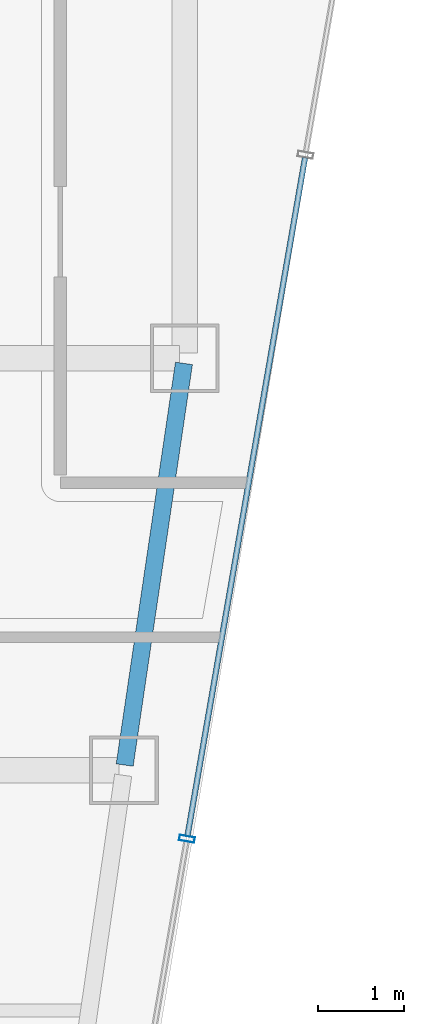
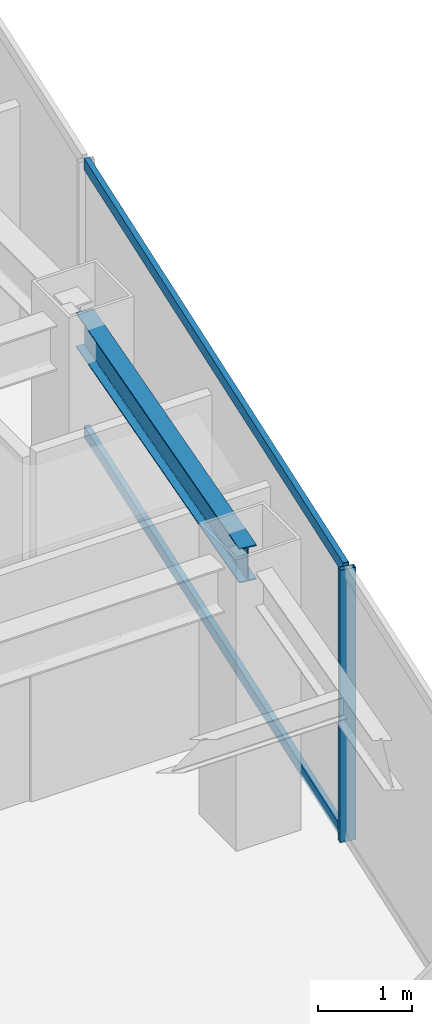
# One storey, part 15 of 31: 3 members, 1 beam, 1 element without a shape of its own.
"""IFC4 building model written with IfcOpenShell, lengths in metres."""

import ifcopenshell
import ifcopenshell.guid

model = None  # the IFC model being written
_history = None  # IfcOwnerHistory: only IFC2X3 demands one
_inside = {}  # id of a spatial element -> (the spatial element, [elements in it])
_under = {}  # id of a project, library or spatial element -> (it, [spatial elements below it])
_declared = {}  # id of a project -> (the project, [libraries it declares])
_typed = {}  # id of a type object -> (the type object, [elements of that type])
_made_of = {}  # id of a material, layer set ... -> (it, [elements and type objects made of it])


def new_model(schema):
    """Start an empty IFC model of exactly this schema.

    Asked for "IFC4X3", IfcOpenShell would pick the latest addendum, in which some entities
    have other attributes; the version numbers below select the first issue.
    IFC2X3 requires an IfcOwnerHistory on every rooted entity: one is made here for all.
    """
    global model, _history
    if schema == "IFC4X3":
        model = ifcopenshell.file(schema_version=(4, 3, 0, 0))
    else:
        model = ifcopenshell.file(schema=schema)
    _inside.clear()
    _under.clear()
    _declared.clear()
    _typed.clear()
    _made_of.clear()
    _history = None
    if model.schema == "IFC2X3":
        org = make("IfcOrganization", Name="unknown")
        user = make(
            "IfcPersonAndOrganization",
            ThePerson=make("IfcPerson", FamilyName="unknown"),
            TheOrganization=org,
        )
        app = make(
            "IfcApplication",
            ApplicationDeveloper=org,
            Version="unknown",
            ApplicationFullName="unknown",
            ApplicationIdentifier="unknown",
        )
        _history = make(
            "IfcOwnerHistory",
            OwningUser=user,
            OwningApplication=app,
            ChangeAction="ADDED",
            CreationDate=0,
        )
    return model


def make(cls, **values):
    """One entity of the class cls with the attributes given. An attribute that is None is left unset."""
    return model.create_entity(
        cls, **{name: value for name, value in values.items() if value is not None}
    )


def rooted(cls, **values):
    """An entity with a GlobalId (a new one), such as an element, a storey or a relation."""
    return make(cls, GlobalId=ifcopenshell.guid.new(), OwnerHistory=_history, **values)


def si_unit(unit_type, name, prefix=None):
    """IfcSIUnit, for example si_unit("LENGTHUNIT", "METRE", prefix="MILLI")."""
    return make("IfcSIUnit", UnitType=unit_type, Prefix=prefix, Name=name)


def assignment(units):
    """IfcUnitAssignment: the units of a project."""
    return None if units is None else make("IfcUnitAssignment", Units=units)


def point(xyz):
    """IfcCartesianPoint."""
    return None if xyz is None else make("IfcCartesianPoint", Coordinates=xyz)


def direction(xyz):
    """IfcDirection."""
    return None if xyz is None else make("IfcDirection", DirectionRatios=xyz)


def frame(location, z_axis=None, x_axis=None):
    """IfcAxis2Placement3D, a coordinate frame: its origin and axes. An axis left out is left unset."""
    return make(
        "IfcAxis2Placement3D",
        Location=point(location),
        Axis=direction(z_axis),
        RefDirection=direction(x_axis),
    )


def frame_2d(location, x_axis=None):
    """IfcAxis2Placement2D, a coordinate frame in the plane: its origin and x axis."""
    return make(
        "IfcAxis2Placement2D", Location=point(location), RefDirection=direction(x_axis)
    )


def origin():
    """The frame at (0, 0, 0) with its axes left unset."""
    return frame((0.0, 0.0, 0.0))


def origin_2d():
    """The frame at (0, 0) in the plane with its x axis left unset."""
    return frame_2d((0.0, 0.0))


def place(relative_to, where):
    """IfcLocalPlacement: puts the frame where relative to a parent placement (None: the world)."""
    return make(
        "IfcLocalPlacement", PlacementRelTo=relative_to, RelativePlacement=where
    )


def context(
    kind, dimensions, precision=None, world=None, true_north=None, identifier=None
):
    """IfcGeometricRepresentationContext, for example the 3D "Model" context."""
    return make(
        "IfcGeometricRepresentationContext",
        ContextIdentifier=identifier,
        ContextType=kind,
        CoordinateSpaceDimension=dimensions,
        Precision=precision,
        WorldCoordinateSystem=world,
        TrueNorth=true_north,
    )


def subcontext(parent, identifier, kind, view, scale=None):
    """IfcGeometricRepresentationSubContext, for example "Body" below "Model"."""
    return make(
        "IfcGeometricRepresentationSubContext",
        ContextIdentifier=identifier,
        ContextType=kind,
        ParentContext=parent,
        TargetScale=scale,
        TargetView=view,
    )


def project(units=None, contexts=None):
    """IfcProject with its units and contexts."""
    return rooted(
        "IfcProject",
        Name="project",
        RepresentationContexts=contexts,
        UnitsInContext=assignment(units),
    )


def spatial(cls, under=None, at=None, **own):
    """A site, building, storey or space (cls), placed at a placement, below another one or the project."""
    s = rooted(cls, ObjectPlacement=at, **own)
    if under is not None:
        _under.setdefault(under.id(), (under, []))[1].append(s)
    return s


def profile(cls, at=None, kind="AREA", **sizes):
    """A parametric profile (cls). Its sizes go by their IFC names, for example OverallWidth=200.0."""
    return make(cls, ProfileType=kind, Position=at, **sizes)


def hollow_rectangle(**sizes):
    """IfcRectangleHollowProfileDef."""
    return profile("IfcRectangleHollowProfileDef", **sizes)


def i_section(**sizes):
    """IfcIShapeProfileDef."""
    return profile("IfcIShapeProfileDef", **sizes)


def extrude(swept, where, along, depth):
    """IfcExtrudedAreaSolid: the profile swept, set in the frame where, extruded along a direction by depth."""
    return make(
        "IfcExtrudedAreaSolid",
        SweptArea=swept,
        Position=where,
        ExtrudedDirection=direction(along),
        Depth=depth,
    )


def shape(context_of_items, identifier, shape_type, items):
    """IfcShapeRepresentation: the items that make up one representation, for example the "Body"."""
    return make(
        "IfcShapeRepresentation",
        ContextOfItems=context_of_items,
        RepresentationIdentifier=identifier,
        RepresentationType=shape_type,
        Items=items,
    )


def material(Name=None, Category=None):
    """IfcMaterial."""
    return make("IfcMaterial", Name=Name, Category=Category)


def material_profile(
    of_material, cross_section, Name=None, Category=None, Priority=None
):
    """IfcMaterialProfile: a cross section and its material."""
    return make(
        "IfcMaterialProfile",
        Name=Name,
        Material=of_material,
        Profile=cross_section,
        Priority=Priority,
        Category=Category,
    )


def profile_set(profiles, Name=None, composite=None):
    """IfcMaterialProfileSet."""
    return make(
        "IfcMaterialProfileSet",
        Name=Name,
        MaterialProfiles=profiles,
        CompositeProfile=composite,
    )


def made_of(thing, what):
    """Note that an element or type object is made of a material, layer set ...; save() writes the relation."""
    if what is not None:
        _made_of.setdefault(what.id(), (what, []))[1].append(thing)
    return thing


def type_object(cls, material=None, **own):
    """A type object (cls), such as IfcWallType, which elements share."""
    return made_of(rooted(cls, **own), material)


def element(
    cls,
    number,
    at=None,
    inside=None,
    cuts=None,
    type_object=None,
    material=None,
    context=None,
    identifier="Body",
    shape_type=None,
    held_by="IfcProductDefinitionShape",
    body=None,
    shapes=None,
    **own,
):
    """One element of the class cls, such as IfcWall. Its Tag is "e" and its number.

    at: its placement. inside: the storey or other place that contains it. cuts: it is an
    opening in that element (IfcRelVoidsElement). A single representation is given by context,
    identifier, shape_type and body (its items); several are given by shapes. held_by: the class
    of the entity that holds the representations. save() writes the other relations.
    """
    e = rooted(cls, Tag="e%d" % number, ObjectPlacement=at, **own)
    if body is not None:
        shapes = [shape(context, identifier, shape_type, body)]
    if shapes is not None:
        e.Representation = make(held_by, Representations=shapes)
    if inside is not None:
        _inside.setdefault(inside.id(), (inside, []))[1].append(e)
    if cuts is not None:
        rooted(
            "IfcRelVoidsElement", RelatingBuildingElement=cuts, RelatedOpeningElement=e
        )
    if type_object is not None:
        _typed.setdefault(type_object.id(), (type_object, []))[1].append(e)
    return made_of(e, material)


def aggregate(whole, parts):
    """IfcRelAggregates: a whole, such as a stair, and the parts it consists of."""
    return rooted("IfcRelAggregates", RelatingObject=whole, RelatedObjects=parts)


def save(model, path):
    """Write the relations noted so far, then the file.

    IfcRelAggregates (storeys below a building ...), IfcRelContainedInSpatialStructure (elements
    in a storey), IfcRelDefinesByType, IfcRelAssociatesMaterial and IfcRelDeclares: one each for
    every whole, place, type object, material and project.
    """
    for whole, parts in _under.values():
        aggregate(whole, parts)
    for where, things in _inside.values():
        rooted(
            "IfcRelContainedInSpatialStructure",
            RelatedElements=things,
            RelatingStructure=where,
        )
    for kind, things in _typed.values():
        rooted("IfcRelDefinesByType", RelatedObjects=things, RelatingType=kind)
    for what, things in _made_of.values():
        rooted("IfcRelAssociatesMaterial", RelatedObjects=things, RelatingMaterial=what)
    for by, libraries in _declared.values():
        rooted("IfcRelDeclares", RelatingContext=by, RelatedDefinitions=libraries)
    model.write(path)


model = new_model("IFC4")

# Units and contexts
model_context = context("Model", 3, precision=1e-05, world=origin(), true_north=direction((0.0, 1.0)))
body_context = subcontext(model_context, "Body", "Model", "MODEL_VIEW")
ifc_project = project(units=[si_unit("LENGTHUNIT", "METRE"), si_unit("AREAUNIT", "SQUARE_METRE"), si_unit("VOLUMEUNIT", "CUBIC_METRE"), si_unit("PLANEANGLEUNIT", "RADIAN"), si_unit("MASSUNIT", "GRAM", prefix="KILO")], contexts=[model_context])

# Site, building, storey
site_placement = place(None, origin())
site = spatial("IfcSite", under=ifc_project, at=site_placement, CompositionType="ELEMENT")
building_placement = place(site_placement, origin())
building = spatial("IfcBuilding", under=site, at=building_placement, Name="Saevonmaru Cultural Tower", CompositionType="ELEMENT")
storey_placement = place(building_placement, frame((0.0, 0.0, 230.60009765625)))
storey = spatial("IfcBuildingStorey", under=building, at=storey_placement, Name="L53", CompositionType="ELEMENT", Elevation=230.60009765625)

# Beam
ifc_material_1 = material(Name="Steel SM355", Category="steel")
ifc_material_profile_1 = material_profile(ifc_material_1, i_section(OverallWidth=0.199951171875, OverallDepth=0.449951171875, WebThickness=0.009033203125, FlangeThickness=0.013916015625, FilletRadius=0.01806640625, at=origin_2d()), Name="H-450x200x9x14")
ifc_profile_set_1 = profile_set([ifc_material_profile_1], Name="Steel SM355")
beam_type = type_object("IfcBeamType", Name="BM-SP-H450", PredefinedType="SPANDREL", material=ifc_profile_set_1)
beam_placement = place(storey_placement, frame((52.500732421875, 37.659423828125, 3.324951171875), z_axis=(0.145912860028, 0.989297446312, 0.0), x_axis=(-0.989297446312, 0.145912860028, 0.0)))
element("IfcBeam", 1, at=beam_placement, inside=storey, type_object=beam_type, Name="L53 East Splayed Spandrel 4", PredefinedType="SPANDREL", context=body_context, shape_type="SweptSolid", body=[
    extrude(i_section(OverallWidth=0.199951171875, OverallDepth=0.449951171875, WebThickness=0.009033203125, FlangeThickness=0.013916015625, FilletRadius=0.01806640625, at=origin_2d()), origin(), (0.0, 0.0, 1.0), 4.731689453125),
])

# Curtain wall, members
ifc_material_2 = material(Name="Satin Bronze Anodised Aluminium", Category="aluminium")
curtain_wall_type = type_object("IfcCurtainWallType", Name="CW-SKY-GLZ", PredefinedType="NOTDEFINED", material=ifc_material_2)
curtain_wall_placement = place(storey_placement, origin())
curtain_wall = element("IfcCurtainWall", 2, at=curtain_wall_placement, inside=storey, type_object=curtain_wall_type, Name="L53 Unitised Curtain Wall E8", PredefinedType="NOTDEFINED")
ifc_material_profile_2 = material_profile(ifc_material_2, hollow_rectangle(XDim=0.06494140625, YDim=0.179931640625, WallThickness=0.00390625, at=origin_2d()), Name="ALU-MULL-180x65x4")
ifc_profile_set_2 = profile_set([ifc_material_profile_2], Name="Satin Bronze Anodised Aluminium")
member_type_1 = type_object("IfcMemberType", Name="ML-CW-180x65", PredefinedType="MULLION", material=ifc_profile_set_2)
member_1_placement = place(storey_placement, frame((53.2265625, 36.800048828125, 0.0), z_axis=(0.0, 0.0, 1.0), x_axis=(0.170790369887, 0.985307388359, 0.0)))
member_1 = element("IfcMember", 3, at=member_1_placement, type_object=member_type_1, Name="CW-TW-L53-E8 mullion 3", PredefinedType="MULLION", context=body_context, shape_type="SweptSolid", body=[
    extrude(hollow_rectangle(XDim=0.06494140625, YDim=0.179931640625, WallThickness=0.00390625, at=origin_2d()), origin(), (0.0, 0.0, 1.0), 3.5498046875),
])
ifc_material_profile_3 = material_profile(ifc_material_2, hollow_rectangle(XDim=0.06494140625, YDim=0.14990234375, WallThickness=0.00390625, at=origin_2d()), Name="ALU-TRAN-150x65x4")
ifc_profile_set_3 = profile_set([ifc_material_profile_3], Name="Satin Bronze Anodised Aluminium")
member_type_2 = type_object("IfcMemberType", Name="TR-CW-150x65", PredefinedType="USERDEFINED", material=ifc_profile_set_3)
member_2_placement = place(storey_placement, frame((53.232177734375, 36.83203125, 0.032470703125), z_axis=(0.170804445888, 0.985304948361, 0.0), x_axis=(-0.985304948361, 0.170804445888, 0.0)))
member_2 = element("IfcMember", 4, at=member_2_placement, type_object=member_type_2, Name="CW-TW-L53-E8 transom 3.1", ObjectType="TRANSOM", PredefinedType="USERDEFINED", context=body_context, shape_type="SweptSolid", body=[
    extrude(hollow_rectangle(XDim=0.06494140625, YDim=0.14990234375, WallThickness=0.00390625, at=origin_2d()), origin(), (0.0, 0.0, 1.0), 8.0244140625),
])
member_3_placement = place(storey_placement, frame((53.232177734375, 36.83203125, 3.517333984375), z_axis=(0.170804445888, 0.985304948361, 0.0), x_axis=(-0.985304948361, 0.170804445888, 0.0)))
member_3 = element("IfcMember", 5, at=member_3_placement, type_object=member_type_2, Name="CW-TW-L53-E8 transom 3.2", ObjectType="TRANSOM", PredefinedType="USERDEFINED", context=body_context, shape_type="SweptSolid", body=[
    extrude(hollow_rectangle(XDim=0.06494140625, YDim=0.14990234375, WallThickness=0.00390625, at=origin_2d()), origin(), (0.0, 0.0, 1.0), 8.0244140625),
])
aggregate(curtain_wall, [member_1, member_2, member_3])

save(model, "model.ifc")
